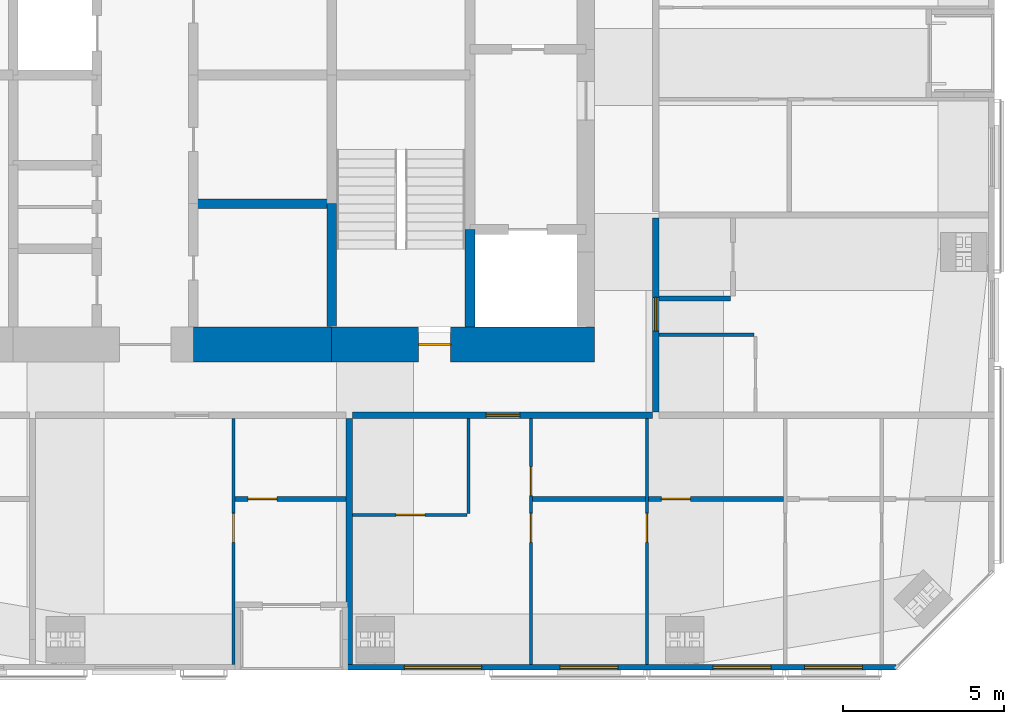
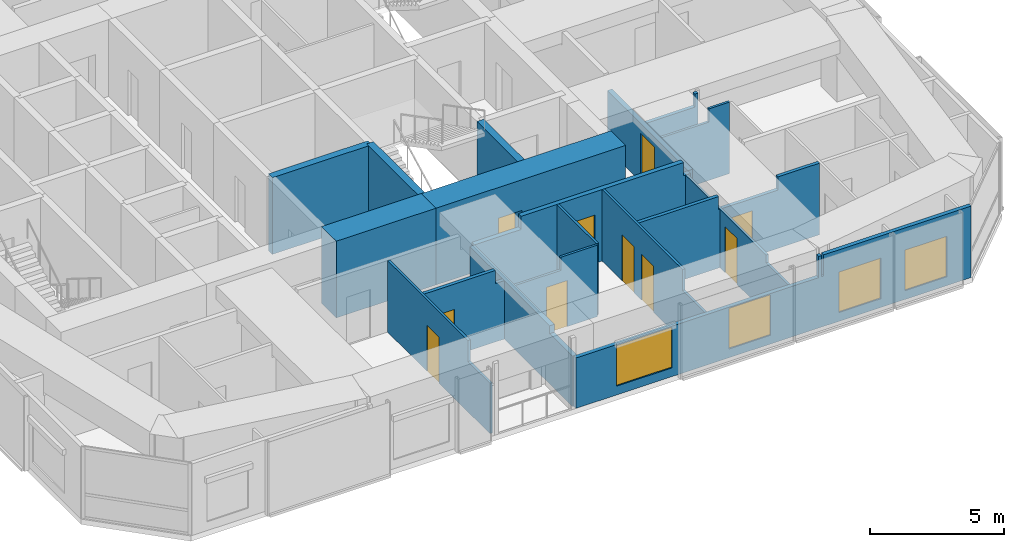
# One storey, part 15 of 20: 19 walls, 10 doors, 4 windows, 14 openings.
"""IFC4 building model written with IfcOpenShell, lengths in metres."""

from ifc_helpers import new_model, si_unit, direction, frame, frame_2d, origin, place, context, subcontext, project, spatial, polyline, rectangle, outline, extrude, material, layer, layer_set, constituent, constituent_set, type_object, element, fill, save


model = new_model("IFC4")

# Units and contexts
model_context = context("Model", 3, precision=1e-05, world=origin(), true_north=direction((0.0, 1.0)))
body_context = subcontext(model_context, "Body", "Model", "MODEL_VIEW")
ifc_project = project(units=[si_unit("LENGTHUNIT", "METRE"), si_unit("AREAUNIT", "SQUARE_METRE"), si_unit("VOLUMEUNIT", "CUBIC_METRE"), si_unit("PLANEANGLEUNIT", "RADIAN"), si_unit("MASSUNIT", "GRAM", prefix="KILO")], contexts=[model_context])

# Site, building, storey
site_placement = place(None, origin())
site = spatial("IfcSite", under=ifc_project, at=site_placement, CompositionType="ELEMENT")
building_placement = place(site_placement, origin())
building = spatial("IfcBuilding", under=site, at=building_placement, Name="Jalousie Tower", CompositionType="ELEMENT")
storey_placement = place(building_placement, frame((0.0, 0.0, 245.949951171875)))
storey = spatial("IfcBuildingStorey", under=building, at=storey_placement, Name="L67", CompositionType="ELEMENT", Elevation=245.949951171875)

# Wall, opening, door
ifc_material_1 = material(Name="Concrete block ASTM C90", Category="concrete")
ifc_constituent_1 = constituent(ifc_material_1, Name="Body")
ifc_material_2 = material(Name="Render")
ifc_constituent_2 = constituent(ifc_material_2, Name="Finish")
ifc_constituent_set_1 = constituent_set(constituents=[ifc_constituent_1, ifc_constituent_2])
wall_type_1 = type_object("IfcWallType", Name="BATHROOM WALL 150", PredefinedType="PLUMBINGWALL", material=ifc_constituent_set_1)
wall_1_placement = place(storey_placement, frame((32.89990234375, 5.324951171875, 0.0), z_axis=(0.0, 0.0, 1.0), x_axis=(1.0, 0.0, 0.0)))
wall_1 = element("IfcWall", 1, at=wall_1_placement, inside=storey, type_object=wall_type_1, Name="Bathroom Wall 150 L67", PredefinedType="PLUMBINGWALL", context=body_context, shape_type="SweptSolid", body=[
    extrude(outline(polyline([(0.0, 0.0), (3.4501953125, 0.0), (3.449951171875, 3.260009765625), (3.449951171875, 2.66015625), (3.06494140625, 2.66015625), (3.06494140625, 3.260009765625), (0.0, 3.260009765625), (0.0, 0.0)])), frame((0.0, 0.074951171875, 0.0), z_axis=(0.0, -1.0, 0.0), x_axis=(1.0, 0.0, 0.0)), (0.0, 0.0, 1.0), 0.14990234375),
])
opening_1_placement = place(wall_1_placement, frame((0.39990234375, 0.0, 0.0)))
opening_1 = element("IfcOpeningElement", 2, at=opening_1_placement, cuts=wall_1, Name="Opening D3", PredefinedType="OPENING", context=body_context, shape_type="SweptSolid", body=[
    extrude(rectangle(XDim=0.89990234375, YDim=2.10009765625, at=frame_2d((0.449951171875, 1.050048828125))), frame((0.0, 0.0849609375, 0.0), z_axis=(0.0, -1.0, 0.0), x_axis=(1.0, 0.0, 0.0)), (0.0, 0.0, 1.0), 0.169921875),
])
ifc_material_3 = material(Name="Timber door", Category="wood")
door_type_1 = type_object("IfcDoorType", Name="BATHROOM DOOR 900", OperationType="SINGLE_SWING_LEFT", PredefinedType="DOOR", material=ifc_material_3)
door_1_placement = place(opening_1_placement, origin())
door_1 = element("IfcDoor", 3, at=door_1_placement, inside=storey, type_object=door_type_1, Name="Apartment 6702 bedroom 1 bathroom door", OperationType="SINGLE_SWING_LEFT", OverallHeight=2.10009765625, OverallWidth=0.89990234375, PredefinedType="DOOR", context=body_context, shape_type="SweptSolid", body=[
    extrude(rectangle(XDim=0.89990234375, YDim=2.10009765625, at=frame_2d((0.449951171875, 1.050048828125))), frame((0.0, 0.02490234375, 0.0), z_axis=(0.0, -1.0, 0.0), x_axis=(1.0, 0.0, 0.0)), (0.0, 0.0, 1.0), 0.050048828125),
])
fill(opening_1, door_1)

# Wall
wall_2_placement = place(storey_placement, frame((42.14990234375, 5.324951171875, 0.0), z_axis=(0.0, 0.0, 1.0), x_axis=(1.0, 0.0, 0.0)))
element("IfcWall", 4, at=wall_2_placement, inside=storey, type_object=wall_type_1, Name="Bathroom Wall 150 L67", PredefinedType="PLUMBINGWALL", context=body_context, shape_type="SweptSolid", body=[
    extrude(outline(polyline([(0.0, 0.0), (3.5, 0.0), (3.5, 3.260009765625), (3.5, 2.66015625), (3.43994140625, 2.66015625), (3.43994140625, 3.260009765625), (0.0, 3.260009765625), (0.0, 0.0)])), frame((0.0, 0.074951171875, 0.0), z_axis=(0.0, -1.0, 0.0), x_axis=(1.0, 0.0, 0.0)), (0.0, 0.0, 1.0), 0.14990234375),
])

# Wall, opening, door
wall_3_placement = place(storey_placement, frame((45.75, 5.324951171875, 0.0), z_axis=(0.0, 0.0, 1.0), x_axis=(1.0, 0.0, 0.0)))
wall_3 = element("IfcWall", 5, at=wall_3_placement, inside=storey, type_object=wall_type_1, Name="Bathroom Wall 150 L67", PredefinedType="PLUMBINGWALL", context=body_context, shape_type="SweptSolid", body=[
    extrude(outline(polyline([(0.0, 0.0), (4.199951171875, 0.0), (4.199951171875, 3.260009765625), (2.409912109375, 3.260009765625), (2.409912109375, 2.66015625), (0.0, 2.66015625), (0.0, 3.260009765625), (0.0, 0.0)])), frame((0.0, 0.074951171875, 0.0), z_axis=(0.0, -1.0, 0.0), x_axis=(1.0, 0.0, 0.0)), (0.0, 0.0, 1.0), 0.14990234375),
])
opening_2_placement = place(wall_3_placement, frame((0.39990234375, 0.0, 0.0)))
opening_2 = element("IfcOpeningElement", 6, at=opening_2_placement, cuts=wall_3, Name="Opening D3", PredefinedType="OPENING", context=body_context, shape_type="SweptSolid", body=[
    extrude(rectangle(XDim=0.89990234375, YDim=2.10009765625, at=frame_2d((0.449951171875, 1.050048828125))), frame((0.0, 0.0849609375, 0.0), z_axis=(0.0, -1.0, 0.0), x_axis=(1.0, 0.0, 0.0)), (0.0, 0.0, 1.0), 0.169921875),
])
door_2_placement = place(opening_2_placement, origin())
door_2 = element("IfcDoor", 7, at=door_2_placement, inside=storey, type_object=door_type_1, Name="Apartment 6703 bedroom 2 bathroom door", OperationType="SINGLE_SWING_LEFT", OverallHeight=2.10009765625, OverallWidth=0.89990234375, PredefinedType="DOOR", context=body_context, shape_type="SweptSolid", body=[
    extrude(rectangle(XDim=0.89990234375, YDim=2.10009765625, at=frame_2d((0.449951171875, 1.050048828125))), frame((0.0, 0.02490234375, 0.0), z_axis=(0.0, -1.0, 0.0), x_axis=(1.0, 0.0, 0.0)), (0.0, 0.0, 1.0), 0.050048828125),
])
fill(opening_2, door_2)

# Walls
wall_4_placement = place(storey_placement, frame((48.300048828125, 11.550048828125, 0.0), z_axis=(0.0, 0.0, 1.0), x_axis=(-1.0, 0.0, 0.0)))
element("IfcWall", 8, at=wall_4_placement, inside=storey, type_object=wall_type_1, Name="Bathroom Wall 150 L67", PredefinedType="PLUMBINGWALL", context=body_context, shape_type="SweptSolid", body=[
    extrude(outline(polyline([(0.0, 0.0), (2.22509765625, 0.0), (2.22509765625, 3.260009765625), (2.22509765625, 2.66015625), (0.139892578125, 2.66015625), (0.139892578125, 3.260009765625), (0.0, 3.260009765625), (0.0, 0.0)])), frame((0.0, 0.074951171875, 0.0), z_axis=(0.0, -1.0, 0.0), x_axis=(1.0, 0.0, 0.0)), (0.0, 0.0, 1.0), 0.14990234375),
])
ifc_material_4 = material(Name="Concrete f'c 120 MPa", Category="concrete")
ifc_layer_1 = layer(ifc_material_4, 1.10009765625)
ifc_layer_set_1 = layer_set([ifc_layer_1], Name="Concrete f'c 120 MPa")
wall_type_2 = type_object("IfcWallType", Name="CORE WALL 1100", PredefinedType="SHEAR", material=ifc_layer_set_1)
wall_5_placement = place(storey_placement, frame((31.60009765625, 10.125, 0.0), z_axis=(0.0, 0.0, 1.0), x_axis=(1.0, 0.0, 0.0)))
element("IfcWall", 9, at=wall_5_placement, inside=storey, type_object=wall_type_2, Name="Core wall SC L67", PredefinedType="SHEAR", context=body_context, shape_type="SweptSolid", body=[
    extrude(rectangle(XDim=4.2998046875, YDim=1.10009765625, at=frame_2d((2.14990234375, 0.0))), origin(), (0.0, 0.0, 1.0), 3.5),
])

# Wall, opening, door
wall_6_placement = place(storey_placement, frame((35.89990234375, 10.125, 0.0), z_axis=(0.0, 0.0, 1.0), x_axis=(1.0, 0.0, 0.0)))
wall_6 = element("IfcWall", 10, at=wall_6_placement, inside=storey, type_object=wall_type_2, Name="Core wall SD L67", PredefinedType="SHEAR", context=body_context, shape_type="SweptSolid", body=[
    extrude(rectangle(XDim=8.175048828125, YDim=1.10009765625, at=frame_2d((4.08740234375, 0.0))), origin(), (0.0, 0.0, 1.0), 3.5),
])
opening_3_placement = place(wall_6_placement, frame((2.699951171875, 0.0, 0.0)))
opening_3 = element("IfcOpeningElement", 11, at=opening_3_placement, cuts=wall_6, Name="Opening D10", PredefinedType="OPENING", context=body_context, shape_type="SweptSolid", body=[
    extrude(rectangle(XDim=1.0, YDim=2.10009765625, at=frame_2d((0.5, 1.050048828125))), frame((0.0, 0.56005859375, 0.0), z_axis=(0.0, -1.0, 0.0), x_axis=(1.0, 0.0, 0.0)), (0.0, 0.0, 1.0), 1.1201171875),
])
ifc_material_5 = material(Name="Steel fire door", Category="steel")
door_type_2 = type_object("IfcDoorType", Name="STAIR DOOR 1000", OperationType="SINGLE_SWING_LEFT", PredefinedType="DOOR", material=ifc_material_5)
door_3_placement = place(opening_3_placement, origin())
door_3 = element("IfcDoor", 12, at=door_3_placement, inside=storey, type_object=door_type_2, Name="Exit stair C door", OperationType="SINGLE_SWING_RIGHT", OverallHeight=2.10009765625, OverallWidth=1.0, PredefinedType="DOOR", context=body_context, shape_type="SweptSolid", body=[
    extrude(rectangle(XDim=1.0, YDim=2.10009765625, at=frame_2d((0.5, 1.050048828125))), frame((0.0, 0.02490234375, 0.0), z_axis=(0.0, -1.0, 0.0), x_axis=(1.0, 0.0, 0.0)), (0.0, 0.0, 1.0), 0.050048828125),
])
fill(opening_3, door_3)

# Walls
ifc_material_6 = material(Name="Concrete f'c 120 MPa", Category="concrete")
ifc_layer_2 = layer(ifc_material_6, 0.300048828125)
ifc_layer_set_2 = layer_set([ifc_layer_2], Name="Concrete f'c 120 MPa")
wall_type_3 = type_object("IfcWallType", Name="CORE WALL 300", PredefinedType="SHEAR", material=ifc_layer_set_2)
wall_7_placement = place(storey_placement, frame((35.89990234375, 10.675048828125, 0.0), z_axis=(0.0, 0.0, 1.0), x_axis=(0.0, 1.0, 0.0)))
element("IfcWall", 13, at=wall_7_placement, inside=storey, type_object=wall_type_3, Name="Core wall X35.9A L67", PredefinedType="SHEAR", context=body_context, shape_type="SweptSolid", body=[
    extrude(rectangle(XDim=3.824951171875, YDim=0.300048828125, at=frame_2d((1.91259765625, 0.0))), origin(), (0.0, 0.0, 1.0), 3.5),
])
wall_8_placement = place(storey_placement, frame((40.199951171875, 10.675048828125, 0.0), z_axis=(0.0, 0.0, 1.0), x_axis=(0.0, 1.0, 0.0)))
element("IfcWall", 14, at=wall_8_placement, inside=storey, type_object=wall_type_3, Name="Core wall X40.2A L67", PredefinedType="SHEAR", context=body_context, shape_type="SweptSolid", body=[
    extrude(rectangle(XDim=3.02490234375, YDim=0.300048828125, at=frame_2d((1.512451171875, 0.0))), origin(), (0.0, 0.0, 1.0), 3.5),
])
wall_9_placement = place(storey_placement, frame((31.60009765625, 14.5, 0.0), z_axis=(0.0, 0.0, 1.0), x_axis=(1.0, 0.0, 0.0)))
element("IfcWall", 15, at=wall_9_placement, inside=storey, type_object=wall_type_3, Name="Core wall Y31.6-14.5 L67", PredefinedType="SHEAR", context=body_context, shape_type="SweptSolid", body=[
    extrude(rectangle(XDim=4.2998046875, YDim=0.300048828125, at=frame_2d((2.14990234375, 0.0))), origin(), (0.0, 0.0, 1.0), 3.5),
])

# Wall, opening, door
ifc_material_7 = material(Name="Concrete block ASTM C90", Category="concrete")
ifc_constituent_3 = constituent(ifc_material_7, Name="Body")
ifc_material_8 = material(Name="Render")
ifc_constituent_4 = constituent(ifc_material_8, Name="Finish")
ifc_constituent_set_2 = constituent_set(constituents=[ifc_constituent_3, ifc_constituent_4])
wall_type_4 = type_object("IfcWallType", Name="CORRIDOR WALL 200", PredefinedType="PARTITIONING", material=ifc_constituent_set_2)
wall_10_placement = place(storey_placement, frame((36.550048828125, 7.925048828125, 0.0), z_axis=(0.0, 0.0, 1.0), x_axis=(1.0, 0.0, 0.0)))
wall_10 = element("IfcWall", 16, at=wall_10_placement, inside=storey, type_object=wall_type_4, Name="Corridor Wall 200 L67", PredefinedType="PARTITIONING", context=body_context, shape_type="SweptSolid", body=[
    extrude(outline(polyline([(0.0, 0.0), (9.324951171875, 0.0), (9.324951171875, 3.260009765625), (9.324951171875, 2.66015625), (9.014892578125, 2.66015625), (9.014892578125, 3.260009765625), (2.010009765625, 3.260009765625), (2.010009765625, 2.66015625), (0.0, 2.66015625), (0.0, 3.260009765625), (0.0, 0.0)])), frame((0.0, 0.10009765625, 0.0), z_axis=(0.0, -1.0, 0.0), x_axis=(1.0, 0.0, 0.0)), (0.0, 0.0, 1.0), 0.199951171875),
])
opening_4_placement = place(wall_10_placement, frame((4.14990234375, 0.0, 0.0)))
opening_4 = element("IfcOpeningElement", 17, at=opening_4_placement, cuts=wall_10, Name="Opening D1", PredefinedType="OPENING", context=body_context, shape_type="SweptSolid", body=[
    extrude(rectangle(XDim=1.050048828125, YDim=2.199951171875, at=frame_2d((0.52490234375, 1.10009765625))), frame((0.0, 0.10986328125, 0.0), z_axis=(0.0, -1.0, 0.0), x_axis=(1.0, 0.0, 0.0)), (0.0, 0.0, 1.0), 0.219970703125),
])
ifc_material_9 = material(Name="Timber fire door", Category="wood")
door_type_3 = type_object("IfcDoorType", Name="APARTMENT ENTRANCE DOOR 1050", OperationType="SINGLE_SWING_LEFT", PredefinedType="DOOR", material=ifc_material_9)
door_4_placement = place(opening_4_placement, frame((1.050048828125, 0.0, 0.0), z_axis=(0.0, 0.0, 1.0), x_axis=(-1.0, 0.0, 0.0)))
door_4 = element("IfcDoor", 18, at=door_4_placement, inside=storey, type_object=door_type_3, Name="Apartment 6703 entrance", OperationType="SINGLE_SWING_LEFT", OverallHeight=2.199951171875, OverallWidth=1.050048828125, PredefinedType="DOOR", context=body_context, shape_type="SweptSolid", body=[
    extrude(rectangle(XDim=1.050048828125, YDim=2.199951171875, at=frame_2d((0.52490234375, 1.10009765625))), frame((0.0, 0.02490234375, 0.0), z_axis=(0.0, -1.0, 0.0), x_axis=(1.0, 0.0, 0.0)), (0.0, 0.0, 1.0), 0.050048828125),
])
fill(opening_4, door_4)

wall_11_placement = place(storey_placement, frame((45.97509765625, 8.02490234375, 0.0), z_axis=(0.0, 0.0, 1.0), x_axis=(0.0, 1.0, 0.0)))
wall_11 = element("IfcWall", 19, at=wall_11_placement, inside=storey, type_object=wall_type_4, Name="Corridor Wall 200 L67", PredefinedType="PARTITIONING", context=body_context, shape_type="SweptSolid", body=[
    extrude(outline(polyline([(0.0, 0.0), (6.025146484375, 0.0), (6.02490234375, 3.260009765625), (6.02490234375, 2.66015625), (5.0849609375, 2.66015625), (0.0, 2.66015625), (0.0, 3.260009765625), (0.0, 0.0)])), frame((0.0, 0.10009765625, 0.0), z_axis=(0.0, -1.0, 0.0), x_axis=(1.0, 0.0, 0.0)), (0.0, 0.0, 1.0), 0.199951171875),
])
opening_5_placement = place(wall_11_placement, frame((2.512451171875, 0.0, 0.0)))
opening_5 = element("IfcOpeningElement", 20, at=opening_5_placement, cuts=wall_11, Name="Opening D1", PredefinedType="OPENING", context=body_context, shape_type="SweptSolid", body=[
    extrude(rectangle(XDim=1.050048828125, YDim=2.199951171875, at=frame_2d((0.52490234375, 1.10009765625))), frame((0.0, 0.10986328125, 0.0), z_axis=(0.0, -1.0, 0.0), x_axis=(1.0, 0.0, 0.0)), (0.0, 0.0, 1.0), 0.219970703125),
])
door_5_placement = place(opening_5_placement, frame((1.050048828125, 0.0, 0.0), z_axis=(0.0, 0.0, 1.0), x_axis=(-1.0, 0.0, 0.0)))
door_5 = element("IfcDoor", 21, at=door_5_placement, inside=storey, type_object=door_type_3, Name="Apartment 6705 entrance", OperationType="SINGLE_SWING_RIGHT", OverallHeight=2.199951171875, OverallWidth=1.050048828125, PredefinedType="DOOR", context=body_context, shape_type="SweptSolid", body=[
    extrude(rectangle(XDim=1.050048828125, YDim=2.199951171875, at=frame_2d((0.52490234375, 1.10009765625))), frame((0.0, 0.02490234375, 0.0), z_axis=(0.0, -1.0, 0.0), x_axis=(1.0, 0.0, 0.0)), (0.0, 0.0, 1.0), 0.050048828125),
])
fill(opening_5, door_5)

# Wall, openings, windows
ifc_material_10 = material(Name="Concrete f'c 40 MPa", Category="concrete")
ifc_constituent_5 = constituent(ifc_material_10, Name="Body")
ifc_material_11 = material(Name="Render, pastel sky blue")
ifc_constituent_6 = constituent(ifc_material_11, Name="Finish")
ifc_constituent_set_3 = constituent_set(constituents=[ifc_constituent_5, ifc_constituent_6])
wall_type_5 = type_object("IfcWallType", Name="EXTERNAL WALL 175 SKY BLUE RENDER", PredefinedType="SOLIDWALL", material=ifc_constituent_set_3)
wall_12_placement = place(storey_placement, frame((36.39990234375, 0.08740234375, 0.0), z_axis=(0.0, 0.0, 1.0), x_axis=(1.0, 0.0, 0.0)))
wall_12 = element("IfcWall", 22, at=wall_12_placement, inside=storey, type_object=wall_type_5, Name="External Wall 175 Sky Blue Render L67", PredefinedType="SOLIDWALL", context=body_context, shape_type="SweptSolid", body=[
    extrude(outline(polyline([(0.0, 0.0), (17.048828125, 0.0), (17.048583984375, 3.260009765625), (10.689697265625, 3.260009765625), (10.689697265625, 2.300048828125), (10.606201171875, 2.300048828125), (10.606201171875, 3.260009765625), (10.47509765625, 3.260009765625), (10.47509765625, 2.300048828125), (0.0, 2.300048828125), (0.0, 0.0)])), frame((0.0, 0.08740234375, 0.0), z_axis=(0.0, -1.0, 0.0), x_axis=(1.0, 0.0, 0.0)), (0.0, 0.0, 1.0), 0.175048828125),
])
opening_6_placement = place(wall_12_placement, frame((1.760009765625, 0.0, 0.39990234375)))
opening_6 = element("IfcOpeningElement", 23, at=opening_6_placement, cuts=wall_12, Name="Opening W-LIV185", PredefinedType="OPENING", context=body_context, shape_type="SweptSolid", body=[
    extrude(rectangle(XDim=2.39990234375, YDim=1.85009765625, at=frame_2d((1.199951171875, 0.925048828125))), frame((0.0, 0.097412109375, 0.0), z_axis=(0.0, -1.0, 0.0), x_axis=(1.0, 0.0, 0.0)), (0.0, 0.0, 1.0), 0.195068359375),
])
opening_7_placement = place(wall_12_placement, frame((6.60009765625, 0.0, 0.39990234375)))
opening_7 = element("IfcOpeningElement", 24, at=opening_7_placement, cuts=wall_12, Name="Opening W-BED185", PredefinedType="OPENING", context=body_context, shape_type="SweptSolid", body=[
    extrude(rectangle(XDim=1.800048828125, YDim=1.85009765625, at=frame_2d((0.89990234375, 0.925048828125))), frame((0.0, 0.097412109375, 0.0), z_axis=(0.0, -1.0, 0.0), x_axis=(1.0, 0.0, 0.0)), (0.0, 0.0, 1.0), 0.195068359375),
])
opening_8_placement = place(wall_12_placement, frame((11.357421875, 0.0, 0.39990234375)))
opening_8 = element("IfcOpeningElement", 25, at=opening_8_placement, cuts=wall_12, Name="Opening W-BED185", PredefinedType="OPENING", context=body_context, shape_type="SweptSolid", body=[
    extrude(rectangle(XDim=1.800048828125, YDim=1.85009765625, at=frame_2d((0.89990234375, 0.925048828125))), frame((0.0, 0.097412109375, 0.0), z_axis=(0.0, -1.0, 0.0), x_axis=(1.0, 0.0, 0.0)), (0.0, 0.0, 1.0), 0.195068359375),
])
opening_9_placement = place(wall_12_placement, frame((14.199951171875, 0.0, 0.39990234375)))
opening_9 = element("IfcOpeningElement", 26, at=opening_9_placement, cuts=wall_12, Name="Opening W-BED185", PredefinedType="OPENING", context=body_context, shape_type="SweptSolid", body=[
    extrude(rectangle(XDim=1.800048828125, YDim=1.85009765625, at=frame_2d((0.89990234375, 0.925048828125))), frame((0.0, 0.097412109375, 0.0), z_axis=(0.0, -1.0, 0.0), x_axis=(1.0, 0.0, 0.0)), (0.0, 0.0, 1.0), 0.195068359375),
])
ifc_material_12 = material(Name="Aluminium frame, impact-rated glazing", Category="aluminium")
window_type_1 = type_object("IfcWindowType", Name="WINDOW BED 1800x1850", PartitioningType="SINGLE_PANEL", PredefinedType="WINDOW", material=ifc_material_12)
window_1_placement = place(opening_7_placement, origin())
window_1 = element("IfcWindow", 27, at=window_1_placement, inside=storey, type_object=window_type_1, Name="Apartment 6703 bedroom 1 window", OverallHeight=1.85009765625, OverallWidth=1.800048828125, PartitioningType="SINGLE_PANEL", PredefinedType="WINDOW", context=body_context, shape_type="SweptSolid", body=[
    extrude(rectangle(XDim=1.800048828125, YDim=1.85009765625, at=frame_2d((0.89990234375, 0.925048828125))), frame((0.0, 0.030029296875, 0.0), z_axis=(0.0, -1.0, 0.0), x_axis=(1.0, 0.0, 0.0)), (0.0, 0.0, 1.0), 0.06005859375),
])
fill(opening_7, window_1)
window_2_placement = place(opening_8_placement, origin())
window_2 = element("IfcWindow", 28, at=window_2_placement, inside=storey, type_object=window_type_1, Name="Apartment 6703 bedroom 2 window", OverallHeight=1.85009765625, OverallWidth=1.800048828125, PartitioningType="SINGLE_PANEL", PredefinedType="WINDOW", context=body_context, shape_type="SweptSolid", body=[
    extrude(rectangle(XDim=1.800048828125, YDim=1.85009765625, at=frame_2d((0.89990234375, 0.925048828125))), frame((0.0, 0.030029296875, 0.0), z_axis=(0.0, -1.0, 0.0), x_axis=(1.0, 0.0, 0.0)), (0.0, 0.0, 1.0), 0.06005859375),
])
fill(opening_8, window_2)
window_3_placement = place(opening_9_placement, origin())
window_3 = element("IfcWindow", 29, at=window_3_placement, inside=storey, type_object=window_type_1, Name="Apartment 6703 bedroom 3 window", OverallHeight=1.85009765625, OverallWidth=1.800048828125, PartitioningType="SINGLE_PANEL", PredefinedType="WINDOW", context=body_context, shape_type="SweptSolid", body=[
    extrude(rectangle(XDim=1.800048828125, YDim=1.85009765625, at=frame_2d((0.89990234375, 0.925048828125))), frame((0.0, 0.030029296875, 0.0), z_axis=(0.0, -1.0, 0.0), x_axis=(1.0, 0.0, 0.0)), (0.0, 0.0, 1.0), 0.06005859375),
])
fill(opening_9, window_3)
ifc_material_13 = material(Name="Aluminium frame, impact-rated glazing", Category="aluminium")
window_type_2 = type_object("IfcWindowType", Name="WINDOW LIV 2400x1850", PartitioningType="DOUBLE_PANEL_VERTICAL", PredefinedType="WINDOW", material=ifc_material_13)
window_4_placement = place(opening_6_placement, origin())
window_4 = element("IfcWindow", 30, at=window_4_placement, inside=storey, type_object=window_type_2, Name="Apartment 6703 living and dining room window", OverallHeight=1.85009765625, OverallWidth=2.39990234375, PartitioningType="SINGLE_PANEL", PredefinedType="WINDOW", context=body_context, shape_type="SweptSolid", body=[
    extrude(rectangle(XDim=2.39990234375, YDim=1.85009765625, at=frame_2d((1.199951171875, 0.925048828125))), frame((0.0, 0.030029296875, 0.0), z_axis=(0.0, -1.0, 0.0), x_axis=(1.0, 0.0, 0.0)), (0.0, 0.0, 1.0), 0.06005859375),
])
fill(opening_6, window_4)

# Wall, opening, door
ifc_material_14 = material(Name="Gypsum board", Category="gypsum")
ifc_constituent_7 = constituent(ifc_material_14, Name="Body")
ifc_material_15 = material(Name="Light-gauge steel studs ASTM A653 SS Grade 33", Category="steel")
ifc_constituent_8 = constituent(ifc_material_15, Name="Framing")
ifc_constituent_set_4 = constituent_set(constituents=[ifc_constituent_7, ifc_constituent_8])
wall_type_6 = type_object("IfcWallType", Name="PARTITION 100", PredefinedType="PARTITIONING", material=ifc_constituent_set_4)
wall_13_placement = place(storey_placement, frame((32.85009765625, 0.175048828125, 0.0), z_axis=(0.0, 0.0, 1.0), x_axis=(0.0, 1.0, 0.0)))
wall_13 = element("IfcWall", 31, at=wall_13_placement, inside=storey, type_object=wall_type_6, Name="Partition 100 L67", PredefinedType="PARTITIONING", context=body_context, shape_type="SweptSolid", body=[
    extrude(outline(polyline([(0.0, 0.0), (7.64990234375, 0.0), (7.64990234375, 3.260009765625), (1.635009765625, 3.260009765625), (1.635009765625, 2.300048828125), (0.0, 2.300048828125), (0.0, 3.260009765625), (0.0, 0.0)])), frame((0.0, 0.050048828125, 0.0), z_axis=(0.0, -1.0, 0.0), x_axis=(1.0, 0.0, 0.0)), (0.0, 0.0, 1.0), 0.10009765625),
])
opening_10_placement = place(wall_13_placement, frame((3.800048828125, 0.0, 0.0)))
opening_10 = element("IfcOpeningElement", 32, at=opening_10_placement, cuts=wall_13, Name="Opening D2", PredefinedType="OPENING", context=body_context, shape_type="SweptSolid", body=[
    extrude(rectangle(XDim=0.89990234375, YDim=2.10009765625, at=frame_2d((0.449951171875, 1.050048828125))), frame((0.0, 0.06005859375, 0.0), z_axis=(0.0, -1.0, 0.0), x_axis=(1.0, 0.0, 0.0)), (0.0, 0.0, 1.0), 0.1201171875),
])
ifc_material_16 = material(Name="Timber door", Category="wood")
door_type_4 = type_object("IfcDoorType", Name="BEDROOM DOOR 900", OperationType="SINGLE_SWING_LEFT", PredefinedType="DOOR", material=ifc_material_16)
door_6_placement = place(opening_10_placement, frame((0.89990234375, 0.0, 0.0), z_axis=(0.0, 0.0, 1.0), x_axis=(-1.0, 0.0, 0.0)))
door_6 = element("IfcDoor", 33, at=door_6_placement, inside=storey, type_object=door_type_4, Name="Apartment 6702 bedroom 1 door", OperationType="SINGLE_SWING_LEFT", OverallHeight=2.10009765625, OverallWidth=0.89990234375, PredefinedType="DOOR", context=body_context, shape_type="SweptSolid", body=[
    extrude(rectangle(XDim=0.89990234375, YDim=2.10009765625, at=frame_2d((0.449951171875, 1.050048828125))), frame((0.0, 0.02490234375, 0.0), z_axis=(0.0, -1.0, 0.0), x_axis=(1.0, 0.0, 0.0)), (0.0, 0.0, 1.0), 0.050048828125),
])
fill(opening_10, door_6)

# Wall, openings, doors
wall_14_placement = place(storey_placement, frame((42.10009765625, 0.175048828125, 0.0), z_axis=(0.0, 0.0, 1.0), x_axis=(0.0, 1.0, 0.0)))
wall_14 = element("IfcWall", 34, at=wall_14_placement, inside=storey, type_object=wall_type_6, Name="Partition 100 L67", PredefinedType="PARTITIONING", context=body_context, shape_type="SweptSolid", body=[
    extrude(outline(polyline([(0.0, 0.0), (7.64990234375, 0.0), (7.64990234375, 3.260009765625), (1.635009765625, 3.260009765625), (1.635009765625, 2.300048828125), (0.0, 2.300048828125), (0.0, 3.260009765625), (0.0, 0.0)])), frame((0.0, 0.050048828125, 0.0), z_axis=(0.0, -1.0, 0.0), x_axis=(1.0, 0.0, 0.0)), (0.0, 0.0, 1.0), 0.10009765625),
])
opening_11_placement = place(wall_14_placement, frame((3.800048828125, 0.0, 0.0)))
opening_11 = element("IfcOpeningElement", 35, at=opening_11_placement, cuts=wall_14, Name="Opening D2", PredefinedType="OPENING", context=body_context, shape_type="SweptSolid", body=[
    extrude(rectangle(XDim=0.89990234375, YDim=2.10009765625, at=frame_2d((0.449951171875, 1.050048828125))), frame((0.0, 0.06005859375, 0.0), z_axis=(0.0, -1.0, 0.0), x_axis=(1.0, 0.0, 0.0)), (0.0, 0.0, 1.0), 0.1201171875),
])
opening_12_placement = place(wall_14_placement, frame((5.25, 0.0, 0.0)))
opening_12 = element("IfcOpeningElement", 36, at=opening_12_placement, cuts=wall_14, Name="Opening D7", PredefinedType="OPENING", context=body_context, shape_type="SweptSolid", body=[
    extrude(rectangle(XDim=0.89990234375, YDim=2.10009765625, at=frame_2d((0.449951171875, 1.050048828125))), frame((0.0, 0.06005859375, 0.0), z_axis=(0.0, -1.0, 0.0), x_axis=(1.0, 0.0, 0.0)), (0.0, 0.0, 1.0), 0.1201171875),
])
door_7_placement = place(opening_11_placement, frame((0.89990234375, 0.0, 0.0), z_axis=(0.0, 0.0, 1.0), x_axis=(-1.0, 0.0, 0.0)))
door_7 = element("IfcDoor", 37, at=door_7_placement, inside=storey, type_object=door_type_4, Name="Apartment 6703 bedroom 1 door", OperationType="SINGLE_SWING_LEFT", OverallHeight=2.10009765625, OverallWidth=0.89990234375, PredefinedType="DOOR", context=body_context, shape_type="SweptSolid", body=[
    extrude(rectangle(XDim=0.89990234375, YDim=2.10009765625, at=frame_2d((0.449951171875, 1.050048828125))), frame((0.0, 0.02490234375, 0.0), z_axis=(0.0, -1.0, 0.0), x_axis=(1.0, 0.0, 0.0)), (0.0, 0.0, 1.0), 0.050048828125),
])
fill(opening_11, door_7)
ifc_material_17 = material(Name="Timber door", Category="wood")
door_type_5 = type_object("IfcDoorType", Name="INTERNAL DOOR 900", OperationType="SINGLE_SWING_LEFT", PredefinedType="DOOR", material=ifc_material_17)
door_8_placement = place(opening_12_placement, frame((0.89990234375, 0.0, 0.0), z_axis=(0.0, 0.0, 1.0), x_axis=(-1.0, 0.0, 0.0)))
door_8 = element("IfcDoor", 38, at=door_8_placement, inside=storey, type_object=door_type_5, Name="Apartment 6703 bathroom door", OperationType="SINGLE_SWING_RIGHT", OverallHeight=2.10009765625, OverallWidth=0.89990234375, PredefinedType="DOOR", context=body_context, shape_type="SweptSolid", body=[
    extrude(rectangle(XDim=0.89990234375, YDim=2.10009765625, at=frame_2d((0.449951171875, 1.050048828125))), frame((0.0, 0.02490234375, 0.0), z_axis=(0.0, -1.0, 0.0), x_axis=(1.0, 0.0, 0.0)), (0.0, 0.0, 1.0), 0.050048828125),
])
fill(opening_12, door_8)

# Wall, opening, door
wall_15_placement = place(storey_placement, frame((45.699951171875, 0.175048828125, 0.0), z_axis=(0.0, 0.0, 1.0), x_axis=(0.0, 1.0, 0.0)))
wall_15 = element("IfcWall", 39, at=wall_15_placement, inside=storey, type_object=wall_type_6, Name="Partition 100 L67", PredefinedType="PARTITIONING", context=body_context, shape_type="SweptSolid", body=[
    extrude(outline(polyline([(0.0, 0.0), (7.64990234375, 0.0), (7.64990234375, 3.260009765625), (7.64990234375, 2.66015625), (1.635009765625, 2.66015625), (1.635009765625, 2.300048828125), (0.0, 2.300048828125), (0.0, 3.260009765625), (0.0, 0.0)])), frame((0.0, 0.050048828125, 0.0), z_axis=(0.0, -1.0, 0.0), x_axis=(1.0, 0.0, 0.0)), (0.0, 0.0, 1.0), 0.10009765625),
])
opening_13_placement = place(wall_15_placement, frame((3.800048828125, 0.0, 0.0)))
opening_13 = element("IfcOpeningElement", 40, at=opening_13_placement, cuts=wall_15, Name="Opening D2", PredefinedType="OPENING", context=body_context, shape_type="SweptSolid", body=[
    extrude(rectangle(XDim=0.89990234375, YDim=2.10009765625, at=frame_2d((0.449951171875, 1.050048828125))), frame((0.0, 0.06005859375, 0.0), z_axis=(0.0, -1.0, 0.0), x_axis=(1.0, 0.0, 0.0)), (0.0, 0.0, 1.0), 0.1201171875),
])
door_9_placement = place(opening_13_placement, frame((0.89990234375, 0.0, 0.0), z_axis=(0.0, 0.0, 1.0), x_axis=(-1.0, 0.0, 0.0)))
door_9 = element("IfcDoor", 41, at=door_9_placement, inside=storey, type_object=door_type_4, Name="Apartment 6703 bedroom 2 door", OperationType="SINGLE_SWING_LEFT", OverallHeight=2.10009765625, OverallWidth=0.89990234375, PredefinedType="DOOR", context=body_context, shape_type="SweptSolid", body=[
    extrude(rectangle(XDim=0.89990234375, YDim=2.10009765625, at=frame_2d((0.449951171875, 1.050048828125))), frame((0.0, 0.02490234375, 0.0), z_axis=(0.0, -1.0, 0.0), x_axis=(1.0, 0.0, 0.0)), (0.0, 0.0, 1.0), 0.050048828125),
])
fill(opening_13, door_9)

wall_16_placement = place(storey_placement, frame((36.550048828125, 4.824951171875, 0.0), z_axis=(0.0, 0.0, 1.0), x_axis=(1.0, 0.0, 0.0)))
wall_16 = element("IfcWall", 42, at=wall_16_placement, inside=storey, type_object=wall_type_6, Name="Partition 100 L67", PredefinedType="PARTITIONING", context=body_context, shape_type="SweptSolid", body=[
    extrude(outline(polyline([(0.0, 0.0), (3.550048828125, 0.0), (3.550048828125, 3.260009765625), (1.9599609375, 3.260009765625), (1.9599609375, 2.66015625), (0.0, 2.66015625), (0.0, 3.260009765625), (0.0, 0.0)])), frame((0.0, 0.050048828125, 0.0), z_axis=(0.0, -1.0, 0.0), x_axis=(1.0, 0.0, 0.0)), (0.0, 0.0, 1.0), 0.10009765625),
])
opening_14_placement = place(wall_16_placement, frame((1.35009765625, 0.0, 0.0)))
opening_14 = element("IfcOpeningElement", 43, at=opening_14_placement, cuts=wall_16, Name="Opening D7", PredefinedType="OPENING", context=body_context, shape_type="SweptSolid", body=[
    extrude(rectangle(XDim=0.89990234375, YDim=2.10009765625, at=frame_2d((0.449951171875, 1.050048828125))), frame((0.0, 0.06005859375, 0.0), z_axis=(0.0, -1.0, 0.0), x_axis=(1.0, 0.0, 0.0)), (0.0, 0.0, 1.0), 0.1201171875),
])
door_10_placement = place(opening_14_placement, frame((0.89990234375, 0.0, 0.0), z_axis=(0.0, 0.0, 1.0), x_axis=(-1.0, 0.0, 0.0)))
door_10 = element("IfcDoor", 44, at=door_10_placement, inside=storey, type_object=door_type_5, Name="Apartment 6703 kitchen door", OperationType="SINGLE_SWING_RIGHT", OverallHeight=2.10009765625, OverallWidth=0.89990234375, PredefinedType="DOOR", context=body_context, shape_type="SweptSolid", body=[
    extrude(rectangle(XDim=0.89990234375, YDim=2.10009765625, at=frame_2d((0.449951171875, 1.050048828125))), frame((0.0, 0.02490234375, 0.0), z_axis=(0.0, -1.0, 0.0), x_axis=(1.0, 0.0, 0.0)), (0.0, 0.0, 1.0), 0.050048828125),
])
fill(opening_14, door_10)

# Walls
wall_17_placement = place(storey_placement, frame((40.14990234375, 4.875, 0.0), z_axis=(0.0, 0.0, 1.0), x_axis=(0.0, 1.0, 0.0)))
element("IfcWall", 45, at=wall_17_placement, inside=storey, type_object=wall_type_6, Name="Partition 100 L67", PredefinedType="PARTITIONING", context=body_context, shape_type="SweptSolid", body=[
    extrude(rectangle(XDim=2.949951171875, YDim=0.10009765625, at=frame_2d((1.47509765625, 0.0))), origin(), (0.0, 0.0, 1.0), 3.260009765625),
])
wall_18_placement = place(storey_placement, frame((49.02490234375, 10.425048828125, 0.0), z_axis=(0.0, 0.0, 1.0), x_axis=(-1.0, 0.0, 0.0)))
element("IfcWall", 46, at=wall_18_placement, inside=storey, type_object=wall_type_6, Name="Partition 100 L67", PredefinedType="PARTITIONING", context=body_context, shape_type="SweptSolid", body=[
    extrude(outline(polyline([(0.0, 0.0), (2.949951171875, 0.0), (2.949951171875, 3.260009765625), (2.949951171875, 2.66015625), (0.889892578125, 2.66015625), (0.889892578125, 3.260009765625), (0.0, 3.260009765625), (0.0, 0.0)])), frame((0.0, 0.050048828125, 0.0), z_axis=(0.0, -1.0, 0.0), x_axis=(1.0, 0.0, 0.0)), (0.0, 0.0, 1.0), 0.10009765625),
])
ifc_material_18 = material(Name="Concrete block ASTM C90", Category="concrete")
ifc_constituent_9 = constituent(ifc_material_18, Name="Body")
ifc_material_19 = material(Name="Render")
ifc_constituent_10 = constituent(ifc_material_19, Name="Finish")
ifc_constituent_set_5 = constituent_set(constituents=[ifc_constituent_9, ifc_constituent_10])
wall_type_7 = type_object("IfcWallType", Name="PARTY WALL 200", PredefinedType="PARTITIONING", material=ifc_constituent_set_5)
wall_19_placement = place(storey_placement, frame((36.449951171875, 0.175048828125, 0.0), z_axis=(0.0, 0.0, 1.0), x_axis=(0.0, 1.0, 0.0)))
element("IfcWall", 47, at=wall_19_placement, inside=storey, type_object=wall_type_7, Name="Party Wall 200 L67", PredefinedType="PARTITIONING", context=body_context, shape_type="SweptSolid", body=[
    extrude(outline(polyline([(0.0, 0.0), (7.64990234375, 0.0), (7.64990234375, 3.260009765625), (7.64990234375, 2.66015625), (1.68505859375, 2.66015625), (1.68505859375, 2.300048828125), (0.0, 2.300048828125), (0.0, 3.260009765625), (0.0, 0.0)])), frame((0.0, 0.10009765625, 0.0), z_axis=(0.0, -1.0, 0.0), x_axis=(1.0, 0.0, 0.0)), (0.0, 0.0, 1.0), 0.199951171875),
])

save(model, "model.ifc")
